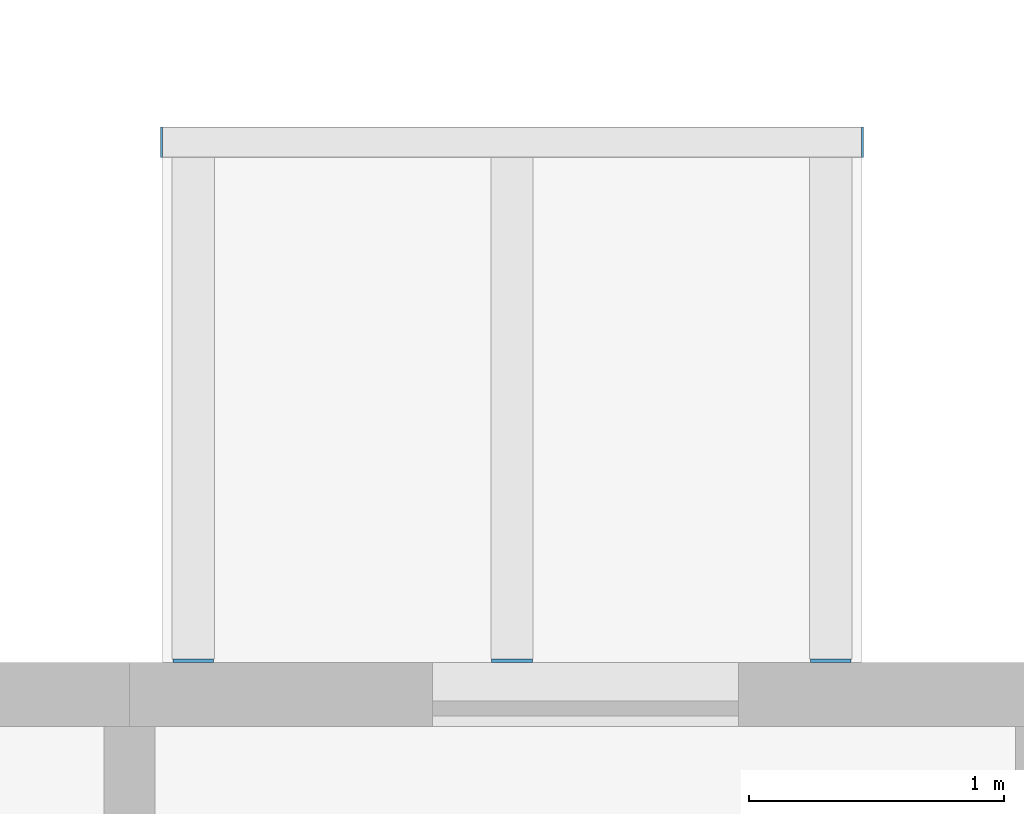
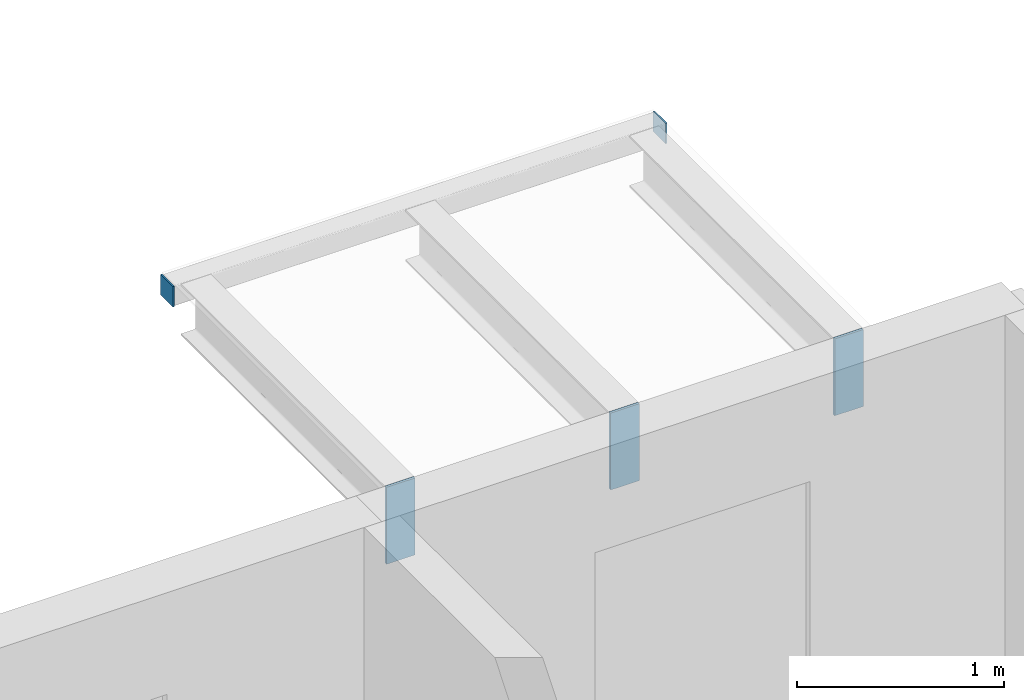
# One storey, part 65 of 93: 5 discrete accessories.
"""IFC4 building model written with IfcOpenShell, lengths in metres."""

from ifc_helpers import new_model, si_unit, direction, frame, origin, origin_2d, place, context, subcontext, project, spatial, rectangle, extrude, material, layer, layer_set, type_object, element, save


model = new_model("IFC4")

# Units and contexts
model_context = context("Model", 3, precision=1e-05, world=origin(), true_north=direction((0.0, 1.0)))
body_context = subcontext(model_context, "Body", "Model", "MODEL_VIEW")
ifc_project = project(units=[si_unit("LENGTHUNIT", "METRE"), si_unit("AREAUNIT", "SQUARE_METRE"), si_unit("VOLUMEUNIT", "CUBIC_METRE"), si_unit("PLANEANGLEUNIT", "RADIAN"), si_unit("MASSUNIT", "GRAM", prefix="KILO")], contexts=[model_context])

# Site, building, storey
site_placement = place(None, origin())
site = spatial("IfcSite", under=ifc_project, at=site_placement, CompositionType="ELEMENT")
building_placement = place(site_placement, origin())
building = spatial("IfcBuilding", under=site, at=building_placement, Name="Ridgestep Commons", CompositionType="ELEMENT")
storey_placement = place(building_placement, frame((0.0, 0.0, 18.0)))
storey = spatial("IfcBuildingStorey", under=building, at=storey_placement, Name="L06", CompositionType="ELEMENT", Elevation=18.0)

# Discrete accessories
ifc_material_1 = material(Name="Weathering steel S355J2W", Category="steel")
ifc_layer_1 = layer(ifc_material_1, 0.014892578125)
ifc_layer_set_1 = layer_set([ifc_layer_1], Name="Tray bracket plate 15")
discrete_accessory_type_1 = type_object("IfcDiscreteAccessoryType", Name="Tray bracket plate 15", PredefinedType="BRACKET", material=ifc_layer_set_1)
for number, where, z_axis, x_axis, name in (
    (1, (36.25, 23.007568359375, 2.53662109375), (0.0, 0.0, 1.0), (1.0, 0.0, 0.0), "Tray bracket A2T3-07.1"),
    (2, (37.5, 23.007568359375, 2.53662109375), (0.0, 0.0, 1.0), (1.0, 0.0, 0.0), "Tray bracket A2T3-07.2"),
    (3, (38.75, 23.007568359375, 2.53662109375), (0.0, 0.0, 1.0), (1.0, 0.0, 0.0), "Tray bracket A2T3-07.3"),
):
    element("IfcDiscreteAccessory", number, at=place(storey_placement, frame(where, z_axis=z_axis, x_axis=x_axis)), inside=storey, type_object=discrete_accessory_type_1, Name=name, PredefinedType="BRACKET", context=body_context, shape_type="SweptSolid", body=[
        extrude(rectangle(XDim=0.159912109375, YDim=0.014892578125, at=origin_2d()), origin(), (0.0, 0.0, 1.0), 0.453369140625),
    ])
ifc_material_2 = material(Name="Weathering steel S355J2W", Category="steel")
ifc_layer_2 = layer(ifc_material_2, 0.008056640625)
ifc_layer_set_2 = layer_set([ifc_layer_2], Name="Tray edge member end plate 120 x 120 x 8")
discrete_accessory_type_2 = type_object("IfcDiscreteAccessoryType", Name="Tray edge member end plate 120 x 120 x 8", PredefinedType="BRACKET", material=ifc_layer_set_2)
for number, where, z_axis, x_axis, name in (
    (4, (36.1259765625, 25.0400390625, 2.869873046875), (0.0, 0.0, 1.0), (1.0, 0.0, 0.0), "Tray edge member end plate A2T3-07 west"),
    (5, (38.8740234375, 25.0400390625, 2.869873046875), (0.0, 0.0, 1.0), (1.0, 0.0, 0.0), "Tray edge member end plate A2T3-07 east"),
):
    element("IfcDiscreteAccessory", number, at=place(storey_placement, frame(where, z_axis=z_axis, x_axis=x_axis)), inside=storey, type_object=discrete_accessory_type_2, Name=name, PredefinedType="BRACKET", context=body_context, shape_type="SweptSolid", body=[
        extrude(rectangle(XDim=0.008056640625, YDim=0.1201171875, at=origin_2d()), origin(), (0.0, 0.0, 1.0), 0.1201171875),
    ])

save(model, "model.ifc")
